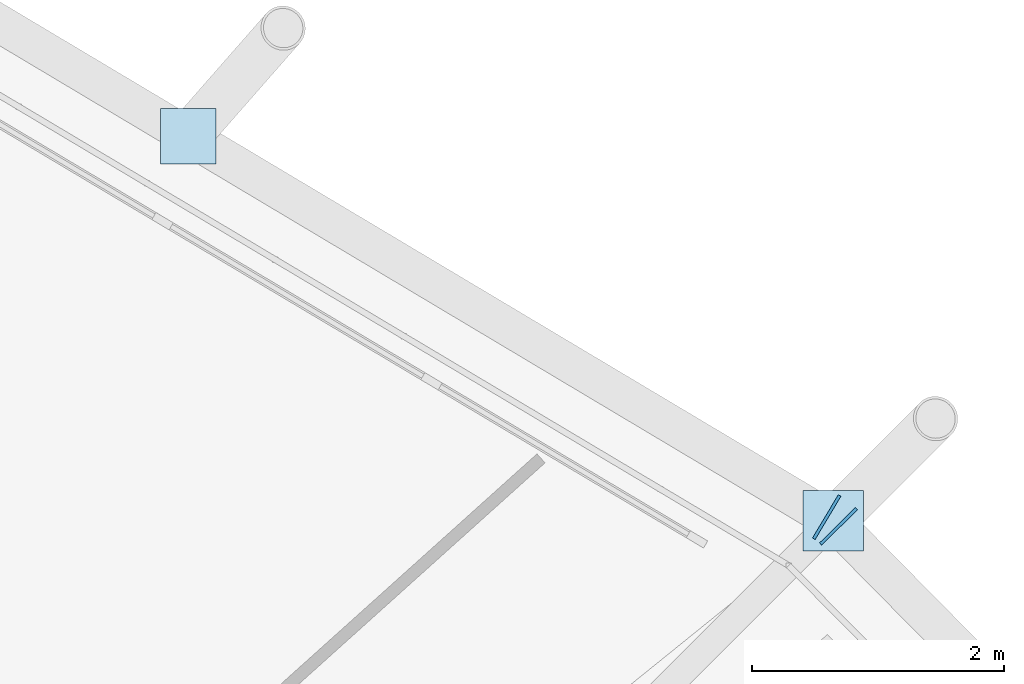
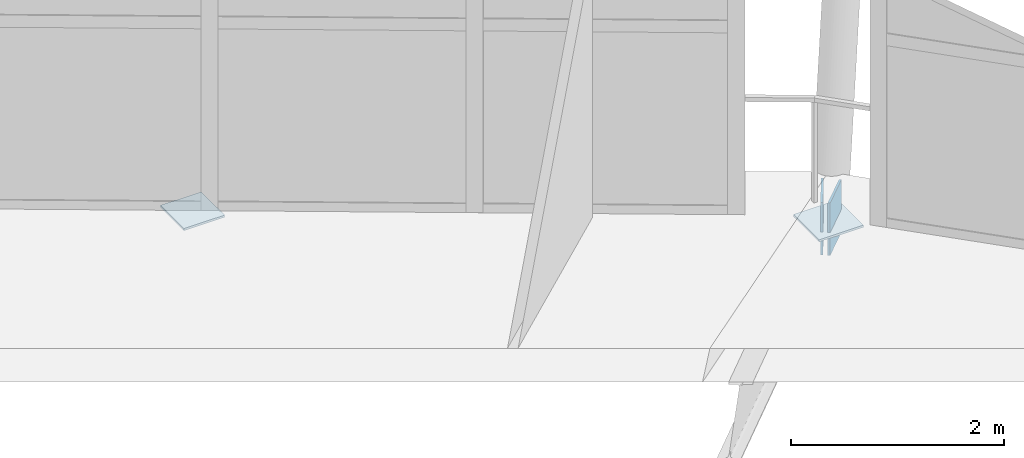
# One storey, part 81 of 99: 4 plates.
"""IFC4 building model written with IfcOpenShell, lengths in metres."""

from ifc_helpers import new_model, si_unit, direction, frame, origin, origin_2d, place, context, subcontext, project, spatial, rectangle, extrude, material, layer, layer_set, type_object, element, save


model = new_model("IFC4")

# Units and contexts
model_context = context("Model", 3, precision=1e-05, world=origin(), true_north=direction((0.0, 1.0)))
body_context = subcontext(model_context, "Body", "Model", "MODEL_VIEW")
ifc_project = project(units=[si_unit("LENGTHUNIT", "METRE"), si_unit("AREAUNIT", "SQUARE_METRE"), si_unit("VOLUMEUNIT", "CUBIC_METRE"), si_unit("PLANEANGLEUNIT", "RADIAN"), si_unit("MASSUNIT", "GRAM", prefix="KILO")], contexts=[model_context])

# Site, building, storey
site_placement = place(None, origin())
site = spatial("IfcSite", under=ifc_project, at=site_placement, CompositionType="ELEMENT")
building_placement = place(site_placement, origin())
building = spatial("IfcBuilding", under=site, at=building_placement, Name="Zlatoyarsky Gate Stadium", CompositionType="ELEMENT")
storey_placement = place(building_placement, frame((0.0, 0.0, 26.199951171875)))
storey = spatial("IfcBuildingStorey", under=building, at=storey_placement, Name="L05", CompositionType="ELEMENT", Elevation=26.199951171875)

# Plates
ifc_material = material(Name="Steel S355", Category="steel")
ifc_layer = layer(ifc_material, 0.02392578125)
ifc_layer_set = layer_set([ifc_layer], Name="Steel S355")
plate_type = type_object("IfcPlateType", Name="STEEL HOLLOW CHORD SPLICE SHEET 24", PredefinedType="SHEET", material=ifc_layer_set)
for number, where, z_axis, x_axis, name in (
    (1, (180.95947265625, 134.318359375, -0.81005859375), (0.0, 0.0, 1.0), (-0.702431198843, 0.711751649729, 0.0), "Hollow end cap ND-SP1 CAP-L05-SPD-02 B"),
    (2, (180.865966796875, 134.3916015625, -0.81005859375), (0.0, 0.0, 1.0), (-0.858777552781, 0.51234862627, 0.0), "Hollow end cap ND-SP1 CAP-L05-SPD-03 A"),
):
    element("IfcPlate", number, at=place(storey_placement, frame(where, z_axis=z_axis, x_axis=x_axis)), inside=storey, type_object=plate_type, Name=name, PredefinedType="SHEET", context=body_context, shape_type="SweptSolid", body=[
        extrude(rectangle(XDim=0.02392578125, YDim=0.39990234375, at=origin_2d()), origin(), (0.0, 0.0, 1.0), 0.60009765625),
    ])
plate_1_placement = place(storey_placement, frame((180.91748046875, 134.361083984375, -0.572021484375), z_axis=(0.0, 0.0, 1.0), x_axis=(1.0, 0.0, 0.0)))
element("IfcPlate", 3, at=plate_1_placement, inside=storey, type_object=plate_type, Name="Node closure plate ND-SP1 NCAP-L05-RSTR-03", PredefinedType="SHEET", context=body_context, shape_type="SweptSolid", body=[
    extrude(rectangle(XDim=0.47998046875, YDim=0.47998046875, at=origin_2d()), origin(), (0.0, 0.0, 1.0), 0.02392578125),
])
plate_2_placement = place(storey_placement, frame((175.7978515625, 137.415283203125, -0.52197265625), z_axis=(0.0, 0.0, 1.0), x_axis=(1.0, 0.0, 0.0)))
element("IfcPlate", 4, at=plate_2_placement, inside=storey, type_object=plate_type, Name="Node closure plate ND-SP1 NCAP-RIB-03-1-3T", PredefinedType="SHEET", context=body_context, shape_type="SweptSolid", body=[
    extrude(rectangle(XDim=0.43994140625, YDim=0.43994140625, at=origin_2d()), origin(), (0.0, 0.0, 1.0), 0.02392578125),
])

save(model, "model.ifc")
